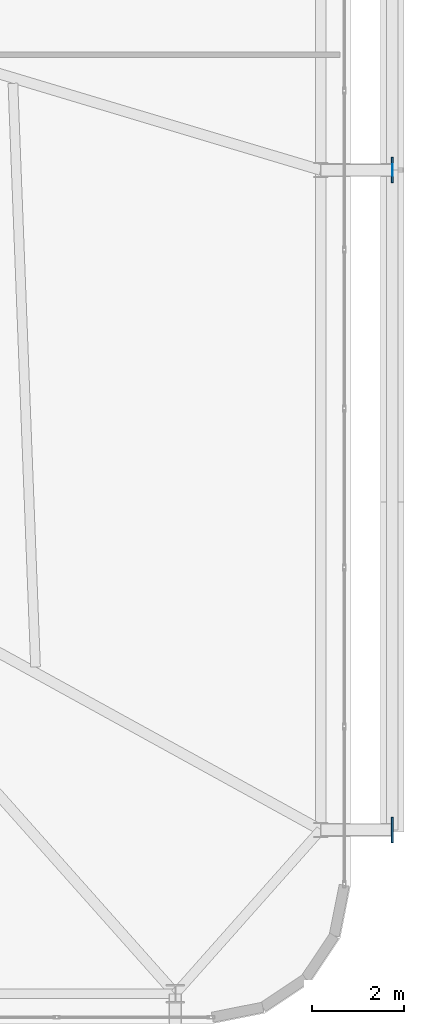
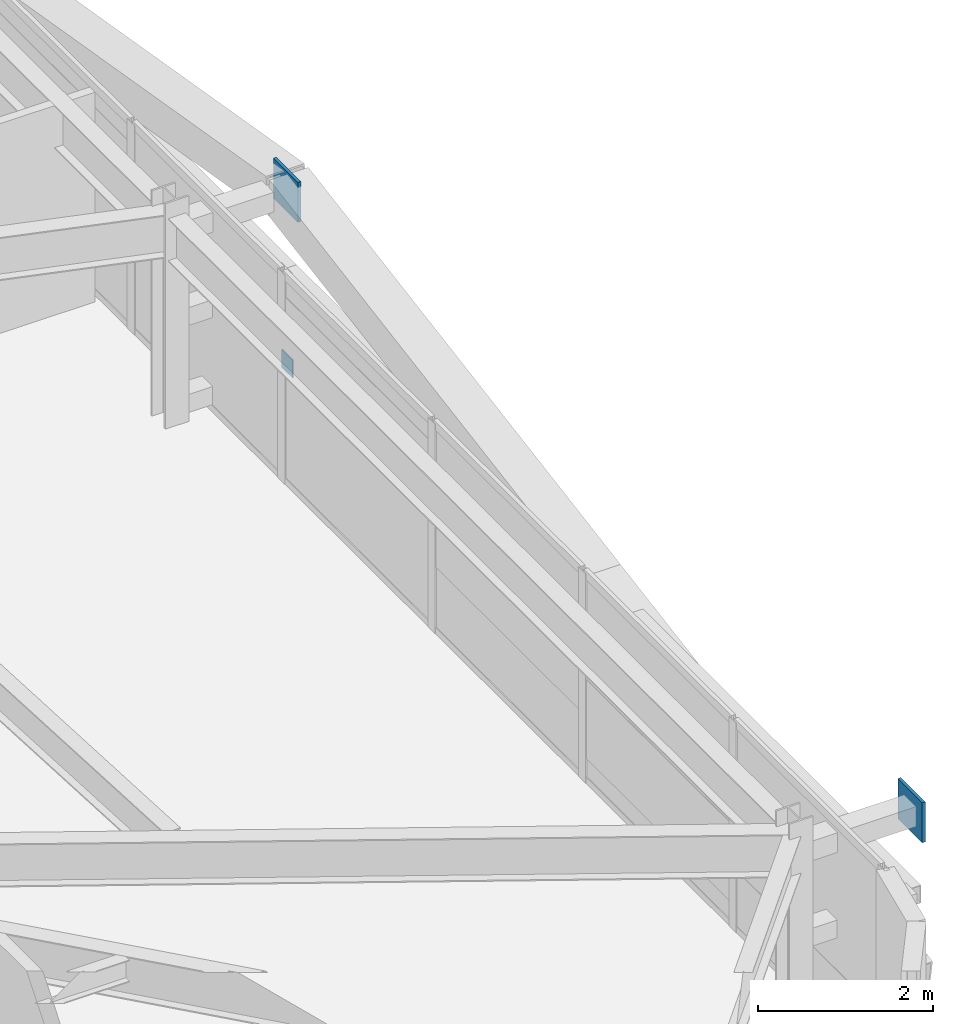
# One storey, part 48 of 58: 3 plates.
"""IFC4 building model written with IfcOpenShell, lengths in metres."""

from ifc_helpers import new_model, si_unit, direction, frame, origin, origin_2d, place, context, subcontext, project, spatial, rectangle, extrude, source, transform, mapped, material, layer, layer_set, type_object, element, save


model = new_model("IFC4")

# Units and contexts
model_context = context("Model", 3, precision=1e-05, world=origin(), true_north=direction((0.0, 1.0)))
body_context = subcontext(model_context, "Body", "Model", "MODEL_VIEW")
ifc_project = project(units=[si_unit("LENGTHUNIT", "METRE"), si_unit("AREAUNIT", "SQUARE_METRE"), si_unit("VOLUMEUNIT", "CUBIC_METRE"), si_unit("PLANEANGLEUNIT", "RADIAN"), si_unit("MASSUNIT", "GRAM", prefix="KILO")], contexts=[model_context])

# Site, building, storey
site_placement = place(None, origin())
site = spatial("IfcSite", under=ifc_project, at=site_placement, CompositionType="ELEMENT")
building_placement = place(site_placement, origin())
building = spatial("IfcBuilding", under=site, at=building_placement, Name="Taldren Reach Tower", CompositionType="ELEMENT")
storey_placement = place(building_placement, frame((0.0, 0.0, 35.699951171875)))
storey = spatial("IfcBuildingStorey", under=building, at=storey_placement, Name="L10", CompositionType="ELEMENT", Elevation=35.699951171875)

# Plates
ifc_material_1 = material(Name="Steel Gr 450 (C450L0)", Category="steel")
ifc_layer_1 = layer(ifc_material_1, 0.0400390625)
ifc_layer_set_1 = layer_set([ifc_layer_1], Name="Steel Gr 450 (C450L0)")
plate_type_1 = type_object("IfcPlateType", Name="PL-GUSSET-40", PredefinedType="SHEET", material=ifc_layer_set_1)
shared_shape_1 = source(origin(), body_context, "Body", "SweptSolid", [
    extrude(rectangle(XDim=0.56005859375, YDim=0.0400390625, at=origin_2d()), origin(), (0.0, 0.0, 1.0), 0.56005859375),
])
for number, where, z_axis, x_axis, name in (
    (1, (65.89990234375, 5.699951171875, 2.3701171875), (0.0, 0.0, 1.0), (0.0, 1.0, 0.0), "Exoskeleton star-node gusset plate B1-E1 L10"),
    (2, (65.89990234375, 20.0, 2.3701171875), (0.0, 0.0, 1.0), (0.0, 1.0, 0.0), "Exoskeleton star-node gusset plate B1-E2 L10"),
):
    element("IfcPlate", number, at=place(storey_placement, frame(where, z_axis=z_axis, x_axis=x_axis)), inside=storey, type_object=plate_type_1, Name=name, PredefinedType="SHEET", context=body_context, shape_type="MappedRepresentation", body=[
        mapped(shared_shape_1, transform((0.0, 0.0, 0.0), scale=1.0)),
    ])
ifc_material_2 = material(Name="Steel Gr 350 (C350L0)", Category="steel")
ifc_layer_2 = layer(ifc_material_2, 0.011962890625)
ifc_layer_set_2 = layer_set([ifc_layer_2], Name="Steel Gr 350 (C350L0)")
plate_type_2 = type_object("IfcPlateType", Name="PL-CAP-250", PredefinedType="SHEET", material=ifc_layer_set_2)
shared_shape_2 = source(origin(), body_context, "Body", "SweptSolid", [
    extrude(rectangle(XDim=0.011962890625, YDim=0.25, at=origin_2d()), origin(), (0.0, 0.0, 1.0), 0.25),
])
plate_placement = place(storey_placement, frame((65.906005859375, 20.0, 0.094970703125), z_axis=(0.0, 0.0, 1.0), x_axis=(1.0, 0.0, 0.0)))
element("IfcPlate", 3, at=plate_placement, inside=storey, type_object=plate_type_2, Name="Tie strut end cap plate B1-E2 L10", PredefinedType="SHEET", context=body_context, shape_type="MappedRepresentation", body=[
    mapped(shared_shape_2, transform((0.0, 0.0, 0.0), scale=1.0)),
])

save(model, "model.ifc")
